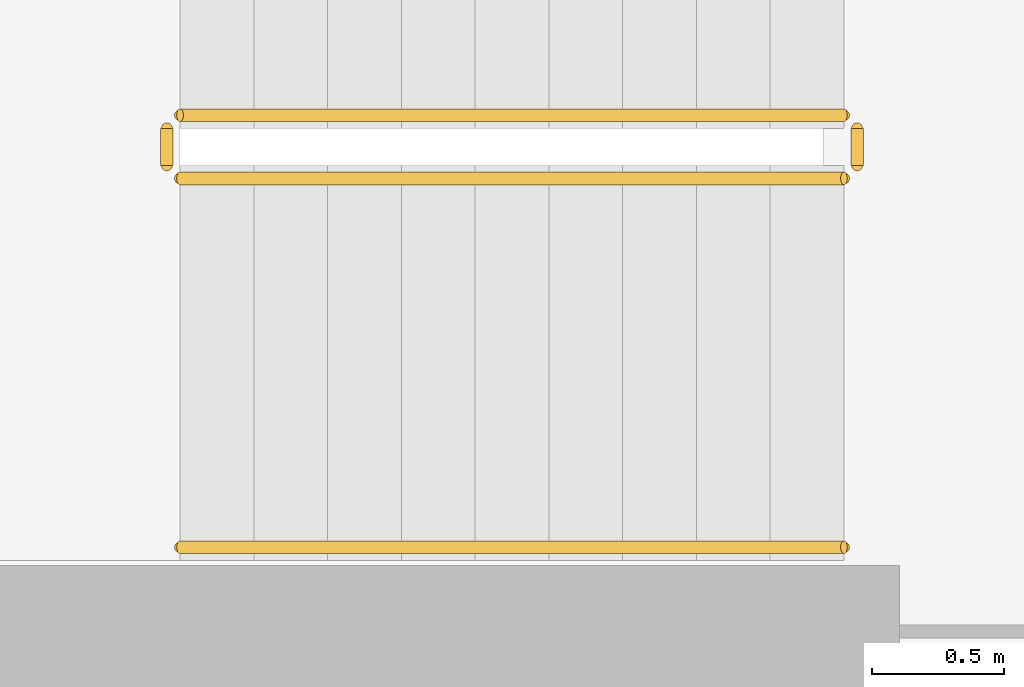
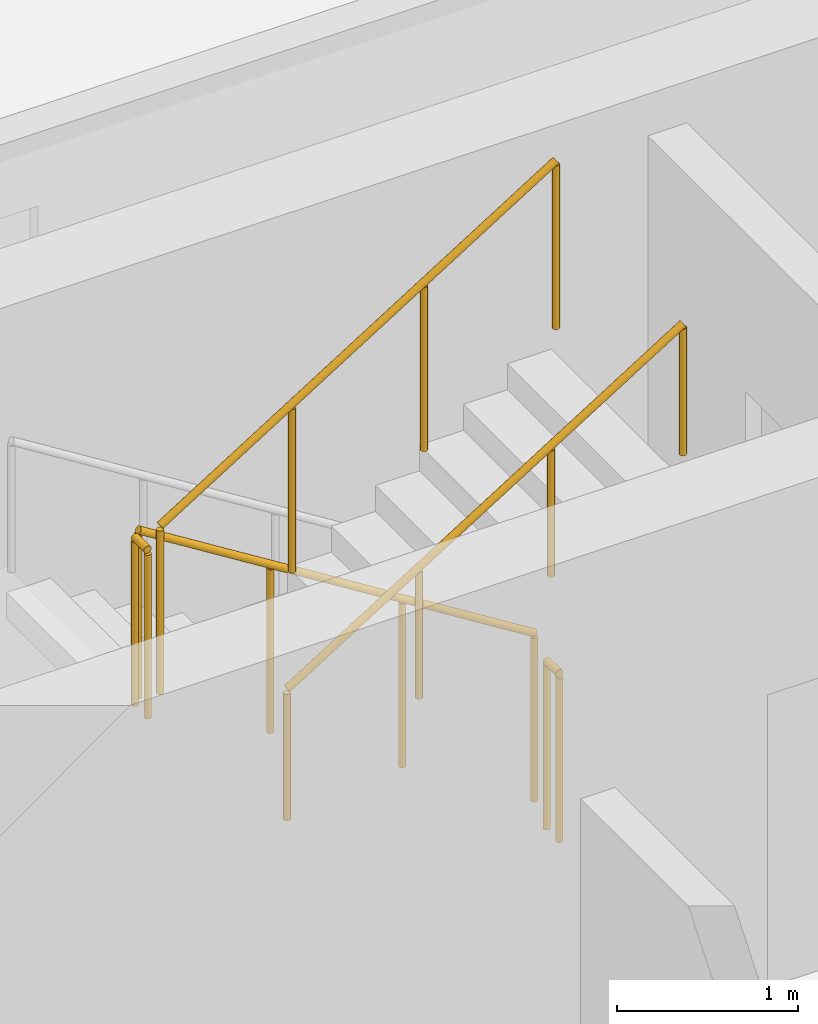
# One storey, part 23 of 25: 5 railings.
"""IFC4 building model written with IfcOpenShell, lengths in metres."""

from ifc_helpers import new_model, si_unit, derived_unit, direction, frame, origin, origin_2d, place, context, subcontext, project, spatial, circle, extrude, material, type_object, element, save


model = new_model("IFC4")

# Units and contexts
model_context = context("Model", 3, precision=1e-05, world=origin(), true_north=direction((0.0, 1.0)))
body_context = subcontext(model_context, "Body", "Model", "MODEL_VIEW")
ifc_project = project(units=[si_unit("LENGTHUNIT", "METRE"), si_unit("AREAUNIT", "SQUARE_METRE"), si_unit("VOLUMEUNIT", "CUBIC_METRE"), si_unit("PLANEANGLEUNIT", "RADIAN"), si_unit("MASSUNIT", "GRAM", prefix="KILO"), derived_unit("THERMALTRANSMITTANCEUNIT", [(si_unit("POWERUNIT", "WATT"), 1), (si_unit("LENGTHUNIT", "METRE"), -2), (si_unit("THERMODYNAMICTEMPERATUREUNIT", "KELVIN"), -1)])], contexts=[model_context])

# Site, building, storey
site_placement = place(None, origin())
site = spatial("IfcSite", under=ifc_project, at=site_placement, CompositionType="ELEMENT")
building_placement = place(site_placement, origin())
building = spatial("IfcBuilding", under=site, at=building_placement, Name="Kivonza Crest Hotel", CompositionType="ELEMENT")
storey_placement = place(building_placement, frame((0.0, 0.0, 83.5)))
storey = spatial("IfcBuildingStorey", under=building, at=storey_placement, Name="L22", CompositionType="ELEMENT", Elevation=83.5)

# Railings
ifc_material_1 = material(Name="Brushed stainless steel handrail", Category="steel")
railing_type_1 = type_object("IfcRailingType", Name="RL-HAND-900", PredefinedType="HANDRAIL", material=ifc_material_1)
railing_1_placement = place(storey_placement, frame((9.719970703125, 33.070068359375, 1.925048828125)))
element("IfcRailing", 1, at=railing_1_placement, inside=storey, type_object=railing_type_1, Name="L22 ST-T1-N stair handrail 2", PredefinedType="HANDRAIL", context=body_context, shape_type="SweptSolid", body=[
    extrude(circle(Radius=0.02392578125, at=origin_2d()), frame((0.0, 0.0, 0.8759765625), z_axis=(0.848007534815, 0.0, 0.529984170421), x_axis=(0.0, 1.0, 0.0)), (0.0, 0.0, 1.0), 2.9716796875),
    extrude(circle(Radius=0.02099609375, at=origin_2d()), origin(), (0.0, 0.0, 1.0), 0.851806640625),
    extrude(circle(Radius=0.02099609375, at=origin_2d()), frame((0.840087890625, 0.0, 0.52490234375)), (0.0, 0.0, 1.0), 0.851806640625),
    extrude(circle(Radius=0.02099609375, at=origin_2d()), frame((1.679931640625, 0.0, 1.050048828125)), (0.0, 0.0, 1.0), 0.851806640625),
    extrude(circle(Radius=0.02099609375, at=origin_2d()), frame((2.52001953125, 0.0, 1.574951171875)), (0.0, 0.0, 1.0), 0.851806640625),
])
ifc_material_2 = material(Name="Painted steel balustrade", Category="steel")
railing_type_2 = type_object("IfcRailingType", Name="RL-STAIR-1150", PredefinedType="BALUSTRADE", material=ifc_material_2)
railing_2_placement = place(storey_placement, frame((12.239990234375, 34.7099609375, 0.175048828125)))
element("IfcRailing", 2, at=railing_2_placement, inside=storey, type_object=railing_type_2, Name="L22 ST-T1-N stair guard 1", PredefinedType="BALUSTRADE", context=body_context, shape_type="SweptSolid", body=[
    extrude(circle(Radius=0.02392578125, at=origin_2d()), frame((0.0, 0.0, 1.1259765625), z_axis=(-0.848007534815, 0.0, 0.529984170421), x_axis=(0.0, -1.0, 0.0)), (0.0, 0.0, 1.0), 2.9716796875),
    extrude(circle(Radius=0.02099609375, at=origin_2d()), origin(), (0.0, 0.0, 1.0), 1.101806640625),
    extrude(circle(Radius=0.02099609375, at=origin_2d()), frame((-0.840087890625, 0.0, 0.52490234375)), (0.0, 0.0, 1.0), 1.101806640625),
    extrude(circle(Radius=0.02099609375, at=origin_2d()), frame((-1.679931640625, 0.0, 1.050048828125)), (0.0, 0.0, 1.0), 1.101806640625),
    extrude(circle(Radius=0.02099609375, at=origin_2d()), frame((-2.52001953125, 0.0, 1.574951171875)), (0.0, 0.0, 1.0), 1.101806640625),
])
railing_3_placement = place(storey_placement, frame((9.669921875, 34.659912109375, 1.75)))
element("IfcRailing", 3, at=railing_3_placement, inside=storey, type_object=railing_type_2, Name="L22 ST-T1-N stair guard 2", PredefinedType="BALUSTRADE", context=body_context, shape_type="SweptSolid", body=[
    extrude(circle(Radius=0.02392578125, at=origin_2d()), frame((0.0, 0.0, 1.1259765625), z_axis=(0.0, -1.0, 0.0), x_axis=(1.0, 0.0, 0.0)), (0.0, 0.0, 1.0), 0.139892578125),
    extrude(circle(Radius=0.02099609375, at=origin_2d()), origin(), (0.0, 0.0, 1.0), 1.101806640625),
    extrude(circle(Radius=0.02099609375, at=origin_2d()), frame((0.0, -0.139892578125, 0.0)), (0.0, 0.0, 1.0), 1.101806640625),
])
railing_4_placement = place(storey_placement, frame((9.719970703125, 34.469970703125, 1.925048828125)))
element("IfcRailing", 4, at=railing_4_placement, inside=storey, type_object=railing_type_2, Name="L22 ST-T1-N stair guard 3", PredefinedType="BALUSTRADE", context=body_context, shape_type="SweptSolid", body=[
    extrude(circle(Radius=0.02392578125, at=origin_2d()), frame((0.0, 0.0, 1.1259765625), z_axis=(0.848007534815, 0.0, 0.529984170421), x_axis=(0.0, 1.0, 0.0)), (0.0, 0.0, 1.0), 2.9716796875),
    extrude(circle(Radius=0.02099609375, at=origin_2d()), origin(), (0.0, 0.0, 1.0), 1.101806640625),
    extrude(circle(Radius=0.02099609375, at=origin_2d()), frame((0.840087890625, 0.0, 0.52490234375)), (0.0, 0.0, 1.0), 1.101806640625),
    extrude(circle(Radius=0.02099609375, at=origin_2d()), frame((1.679931640625, 0.0, 1.050048828125)), (0.0, 0.0, 1.0), 1.101806640625),
    extrude(circle(Radius=0.02099609375, at=origin_2d()), frame((2.52001953125, 0.0, 1.574951171875)), (0.0, 0.0, 1.0), 1.101806640625),
])
railing_5_placement = place(storey_placement, frame((12.2900390625, 34.659912109375, 0.0)))
element("IfcRailing", 5, at=railing_5_placement, inside=storey, type_object=railing_type_2, Name="L22 ST-T1-N stair guard 4", PredefinedType="BALUSTRADE", context=body_context, shape_type="SweptSolid", body=[
    extrude(circle(Radius=0.02392578125, at=origin_2d()), frame((0.0, 0.0, 1.1259765625), z_axis=(0.0, -1.0, 0.0), x_axis=(1.0, 0.0, 0.0)), (0.0, 0.0, 1.0), 0.139892578125),
    extrude(circle(Radius=0.02099609375, at=origin_2d()), origin(), (0.0, 0.0, 1.0), 1.101806640625),
    extrude(circle(Radius=0.02099609375, at=origin_2d()), frame((0.0, -0.139892578125, 0.0)), (0.0, 0.0, 1.0), 1.101806640625),
])

save(model, "model.ifc")
